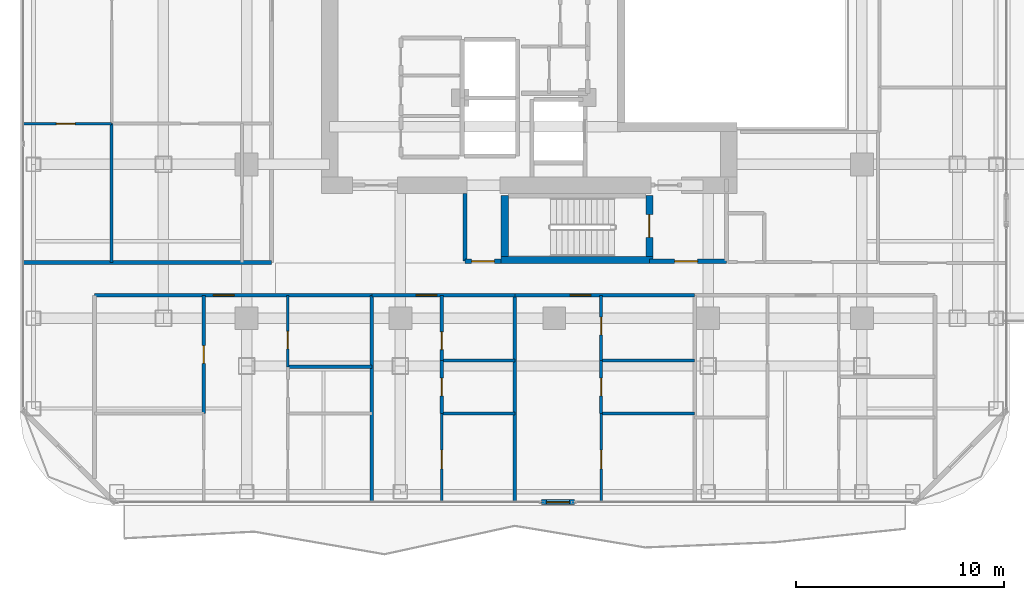
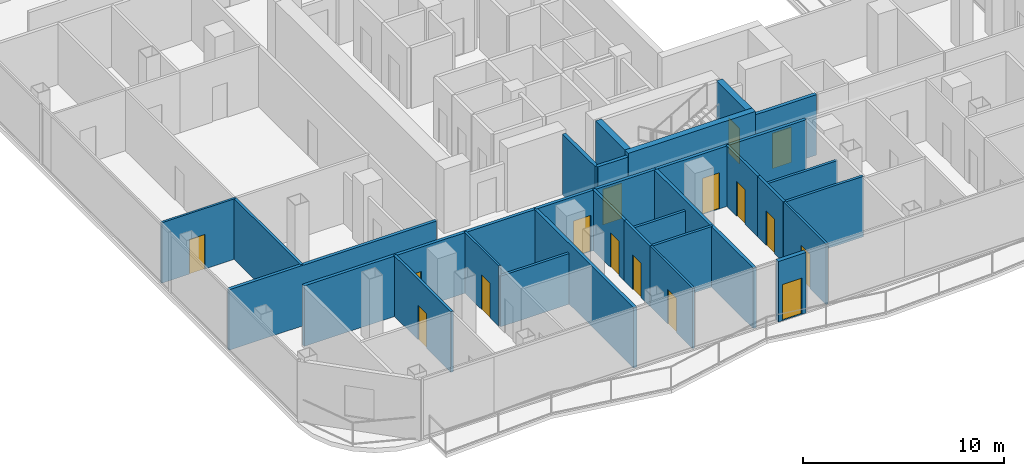
# One storey, part 19 of 27: 28 walls, 16 doors, 16 openings.
"""IFC4 building model written with IfcOpenShell, lengths in metres."""

from ifc_helpers import new_model, si_unit, direction, frame, frame_2d, origin, place, context, subcontext, project, spatial, rectangle, extrude, material, layer, layer_set, type_object, element, fill, save


model = new_model("IFC4")

# Units and contexts
model_context = context("Model", 3, precision=1e-05, world=origin(), true_north=direction((0.0, 1.0)))
body_context = subcontext(model_context, "Body", "Model", "MODEL_VIEW")
ifc_project = project(units=[si_unit("LENGTHUNIT", "METRE"), si_unit("AREAUNIT", "SQUARE_METRE"), si_unit("VOLUMEUNIT", "CUBIC_METRE"), si_unit("PLANEANGLEUNIT", "RADIAN"), si_unit("MASSUNIT", "GRAM", prefix="KILO")], contexts=[model_context])

# Site, building, storey
site_placement = place(None, origin())
site = spatial("IfcSite", under=ifc_project, at=site_placement, CompositionType="ELEMENT")
building_placement = place(site_placement, origin())
building = spatial("IfcBuilding", under=site, at=building_placement, Name="Khorvyn Point Tower", CompositionType="ELEMENT")
storey_placement = place(building_placement, frame((0.0, 0.0, 168.0)))
storey = spatial("IfcBuildingStorey", under=building, at=storey_placement, Name="L41", CompositionType="ELEMENT", Elevation=168.0)

# Wall, opening, door
ifc_material_1 = material(Name="Double acoustic gypsum on twin steel stud", Category="steel")
ifc_layer_1 = layer(ifc_material_1, 0.179931640625)
ifc_layer_set_1 = layer_set([ifc_layer_1], Name="Acoustic Double-Stud Apartment Demising Wall 180")
wall_type_1 = type_object("IfcWallType", Name="Acoustic Double-Stud Apartment Demising Wall 180", PredefinedType="PARTITIONING", material=ifc_layer_set_1)
wall_1_placement = place(storey_placement, frame((-22.1201171875, -13.699951171875, 0.0), z_axis=(0.0, 0.0, 1.0), x_axis=(1.0, 0.0, 0.0)))
wall_1 = element("IfcWall", 1, at=wall_1_placement, inside=storey, type_object=wall_type_1, Name="Wall", PredefinedType="PARTITIONING", context=body_context, shape_type="SweptSolid", body=[
    extrude(rectangle(XDim=13.34521484375, YDim=0.179931640625, at=frame_2d((6.672607421875, 0.0))), origin(), (0.0, 0.0, 1.0), 3.679931640625),
])
opening_1_placement = place(wall_1_placement, frame((5.723876953125, 0.0, 0.0)))
opening_1 = element("IfcOpeningElement", 2, at=opening_1_placement, cuts=wall_1, Name="Opening ID-AP60", PredefinedType="OPENING", context=body_context, shape_type="SweptSolid", body=[
    extrude(rectangle(XDim=1.0, YDim=2.199951171875, at=frame_2d((0.5, 1.10009765625))), frame((0.0, 0.099853515625, 0.0), z_axis=(0.0, -1.0, 0.0), x_axis=(1.0, 0.0, 0.0)), (0.0, 0.0, 1.0), 0.199951171875),
])
ifc_material_2 = material(Name="Engineered hardwood fire-rated leaf", Category="wood")
door_type_1 = type_object("IfcDoorType", Name="Acoustic Solid-Core Timber Apartment Entrance Door 1000x2200", OperationType="NOTDEFINED", PredefinedType="DOOR", material=ifc_material_2)
door_1_placement = place(opening_1_placement, origin())
door_1 = element("IfcDoor", 3, at=door_1_placement, inside=storey, type_object=door_type_1, Name="Door", OperationType="SINGLE_SWING_RIGHT", OverallHeight=2.199951171875, OverallWidth=1.0, PredefinedType="DOOR", context=body_context, shape_type="SweptSolid", body=[
    extrude(rectangle(XDim=1.0, YDim=2.199951171875, at=frame_2d((0.5, 1.10009765625))), frame((0.0, 0.02490234375, 0.0), z_axis=(0.0, -1.0, 0.0), x_axis=(1.0, 0.0, 0.0)), (0.0, 0.0, 1.0), 0.050048828125),
])
fill(opening_1, door_1)

wall_2_placement = place(storey_placement, frame((-8.77490234375, -13.699951171875, 0.0), z_axis=(0.0, 0.0, 1.0), x_axis=(1.0, 0.0, 0.0)))
wall_2 = element("IfcWall", 4, at=wall_2_placement, inside=storey, type_object=wall_type_1, Name="Wall", PredefinedType="PARTITIONING", context=body_context, shape_type="SweptSolid", body=[
    extrude(rectangle(XDim=6.875, YDim=0.179931640625, at=frame_2d((3.4375, 0.0))), origin(), (0.0, 0.0, 1.0), 3.679931640625),
])
opening_2_placement = place(wall_2_placement, frame((2.131103515625, 0.0, 0.0)))
opening_2 = element("IfcOpeningElement", 5, at=opening_2_placement, cuts=wall_2, Name="Opening ID-AP60", PredefinedType="OPENING", context=body_context, shape_type="SweptSolid", body=[
    extrude(rectangle(XDim=1.0, YDim=2.199951171875, at=frame_2d((0.5, 1.10009765625))), frame((0.0, 0.099853515625, 0.0), z_axis=(0.0, -1.0, 0.0), x_axis=(1.0, 0.0, 0.0)), (0.0, 0.0, 1.0), 0.199951171875),
])
door_2_placement = place(opening_2_placement, origin())
door_2 = element("IfcDoor", 6, at=door_2_placement, inside=storey, type_object=door_type_1, Name="Door", OperationType="SINGLE_SWING_RIGHT", OverallHeight=2.199951171875, OverallWidth=1.0, PredefinedType="DOOR", context=body_context, shape_type="SweptSolid", body=[
    extrude(rectangle(XDim=1.0, YDim=2.199951171875, at=frame_2d((0.5, 1.10009765625))), frame((0.0, 0.02490234375, 0.0), z_axis=(0.0, -1.0, 0.0), x_axis=(1.0, 0.0, 0.0)), (0.0, 0.0, 1.0), 0.050048828125),
])
fill(opening_2, door_2)

wall_3_placement = place(storey_placement, frame((-1.89990234375, -13.699951171875, 0.0), z_axis=(0.0, 0.0, 1.0), x_axis=(1.0, 0.0, 0.0)))
wall_3 = element("IfcWall", 7, at=wall_3_placement, inside=storey, type_object=wall_type_1, Name="Wall", PredefinedType="PARTITIONING", context=body_context, shape_type="SweptSolid", body=[
    extrude(rectangle(XDim=8.65380859375, YDim=0.179931640625, at=frame_2d((4.326904296875, 0.0))), origin(), (0.0, 0.0, 1.0), 3.679931640625),
])
opening_3_placement = place(wall_3_placement, frame((2.664306640625, 0.0, 0.0)))
opening_3 = element("IfcOpeningElement", 8, at=opening_3_placement, cuts=wall_3, Name="Opening ID-AP60", PredefinedType="OPENING", context=body_context, shape_type="SweptSolid", body=[
    extrude(rectangle(XDim=1.0, YDim=2.199951171875, at=frame_2d((0.5, 1.10009765625))), frame((0.0, 0.099853515625, 0.0), z_axis=(0.0, -1.0, 0.0), x_axis=(1.0, 0.0, 0.0)), (0.0, 0.0, 1.0), 0.199951171875),
])
door_3_placement = place(opening_3_placement, origin())
door_3 = element("IfcDoor", 9, at=door_3_placement, inside=storey, type_object=door_type_1, Name="Door", OperationType="SINGLE_SWING_RIGHT", OverallHeight=2.199951171875, OverallWidth=1.0, PredefinedType="DOOR", context=body_context, shape_type="SweptSolid", body=[
    extrude(rectangle(XDim=1.0, YDim=2.199951171875, at=frame_2d((0.5, 1.10009765625))), frame((0.0, 0.02490234375, 0.0), z_axis=(0.0, -1.0, 0.0), x_axis=(1.0, 0.0, 0.0)), (0.0, 0.0, 1.0), 0.050048828125),
])
fill(opening_3, door_3)

# Walls
for number, where, z_axis, x_axis, name in (
    (10, (-8.77490234375, -23.6298828125, 0.0), (0.0, 0.0, 1.0), (0.0, 1.0, 0.0), "Wall"),
    (11, (-1.89990234375, -23.6298828125, 0.0), (0.0, 0.0, 1.0), (0.0, 1.0, 0.0), "Wall"),
):
    element("IfcWall", number, at=place(storey_placement, frame(where, z_axis=z_axis, x_axis=x_axis)), inside=storey, type_object=wall_type_1, Name=name, PredefinedType="PARTITIONING", context=body_context, shape_type="SweptSolid", body=[
        extrude(rectangle(XDim=9.929931640625, YDim=0.179931640625, at=frame_2d((4.96484375, 0.0))), origin(), (0.0, 0.0, 1.0), 3.679931640625),
    ])
wall_4_placement = place(storey_placement, frame((-25.530029296875, -12.1201171875, 0.0), z_axis=(0.0, 0.0, 1.0), x_axis=(1.0, 0.0, 0.0)))
element("IfcWall", 12, at=wall_4_placement, inside=storey, type_object=wall_type_1, Name="Wall", PredefinedType="PARTITIONING", context=body_context, shape_type="SweptSolid", body=[
    extrude(rectangle(XDim=11.929931640625, YDim=0.179931640625, at=frame_2d((5.96484375, 0.0))), origin(), (0.0, 0.0, 1.0), 3.679931640625),
])

# Wall, opening, door
ifc_material_3 = material(Name="Pale anodised aluminium rainscreen on steel stud", Category="steel")
ifc_layer_2 = layer(ifc_material_3, 0.239990234375)
ifc_layer_set_2 = layer_set([ifc_layer_2], Name="Anodised Aluminium Insulated Corner Spandrel Wall 240")
wall_type_2 = type_object("IfcWallType", Name="Anodised Aluminium Insulated Corner Spandrel Wall 240", PredefinedType="SOLIDWALL", material=ifc_layer_set_2)
wall_5_placement = place(storey_placement, frame((0.967041015625, -23.64990234375, 0.0), z_axis=(0.0, 0.0, 1.0), x_axis=(-1.0, 0.0, 0.0)))
wall_5 = element("IfcWall", 13, at=wall_5_placement, inside=storey, type_object=wall_type_2, Name="L41 South Outdoor Threshold Wall", PredefinedType="SOLIDWALL", context=body_context, shape_type="SweptSolid", body=[
    extrude(rectangle(XDim=1.580078125, YDim=0.239990234375, at=frame_2d((0.7900390625, 0.0))), origin(), (0.0, 0.0, 1.0), 3.679931640625),
])
opening_4_placement = place(wall_5_placement, frame((0.239990234375, 0.0, 0.0)))
opening_4 = element("IfcOpeningElement", 14, at=opening_4_placement, cuts=wall_5, Name="Opening BD-1122", PredefinedType="OPENING", context=body_context, shape_type="SweptSolid", body=[
    extrude(rectangle(XDim=1.10009765625, YDim=2.199951171875, at=frame_2d((0.550048828125, 1.10009765625))), frame((0.0, 0.1298828125, 0.0), z_axis=(0.0, -1.0, 0.0), x_axis=(1.0, 0.0, 0.0)), (0.0, 0.0, 1.0), 0.260009765625),
])
ifc_material_4 = material(Name="Anodised aluminium 6063-T6 and laminated Low-E glass", Category="aluminium")
door_type_2 = type_object("IfcDoorType", Name="Glazed Balcony and Terrace Threshold Door 1100x2200", OperationType="NOTDEFINED", PredefinedType="DOOR", material=ifc_material_4)
door_4_placement = place(opening_4_placement, origin())
door_4 = element("IfcDoor", 15, at=door_4_placement, inside=storey, type_object=door_type_2, Name="L41 South Glazed Balcony Outdoor Door", OperationType="SINGLE_SWING_RIGHT", OverallHeight=2.199951171875, OverallWidth=1.10009765625, PredefinedType="DOOR", context=body_context, shape_type="SweptSolid", body=[
    extrude(rectangle(XDim=1.10009765625, YDim=2.199951171875, at=frame_2d((0.550048828125, 1.10009765625))), frame((0.0, 0.02490234375, 0.0), z_axis=(0.0, -1.0, 0.0), x_axis=(1.0, 0.0, 0.0)), (0.0, 0.0, 1.0), 0.050048828125),
])
fill(opening_4, door_4)

ifc_material_5 = material(Name="Concrete C40/50", Category="concrete")
ifc_layer_3 = layer(ifc_material_5, 0.199951171875)
ifc_layer_set_3 = layer_set([ifc_layer_3], Name="Concrete C40/50 Fire-Lobby Compartment Wall 200")
wall_type_3 = type_object("IfcWallType", Name="Concrete C40/50 Fire-Lobby Compartment Wall 200", PredefinedType="SOLIDWALL", material=ifc_layer_set_3)
wall_6_placement = place(storey_placement, frame((4.580078125, -12.06005859375, 0.0), z_axis=(0.0, 0.0, 1.0), x_axis=(1.0, 0.0, 0.0)))
wall_6 = element("IfcWall", 16, at=wall_6_placement, inside=storey, type_object=wall_type_3, Name="Wall", PredefinedType="SOLIDWALL", context=body_context, shape_type="SweptSolid", body=[
    extrude(rectangle(XDim=3.699951171875, YDim=0.199951171875, at=frame_2d((1.85009765625, 0.0))), origin(), (0.0, 0.0, 1.0), 3.679931640625),
])
opening_5_placement = place(wall_6_placement, frame((1.21240234375, 0.0, 0.0)))
opening_5 = element("IfcOpeningElement", 17, at=opening_5_placement, cuts=wall_6, Name="Opening ID-FL90", PredefinedType="OPENING", context=body_context, shape_type="SweptSolid", body=[
    extrude(rectangle(XDim=1.10009765625, YDim=2.14990234375, at=frame_2d((0.550048828125, 1.074951171875))), frame((0.0, 0.10986328125, 0.0), z_axis=(0.0, -1.0, 0.0), x_axis=(1.0, 0.0, 0.0)), (0.0, 0.0, 1.0), 0.219970703125),
])
ifc_material_6 = material(Name="Galvanised powder-coated steel", Category="steel")
door_type_3 = type_object("IfcDoorType", Name="Fire-Rated Steel Lobby and Stair Door 1100x2150", OperationType="NOTDEFINED", PredefinedType="DOOR", material=ifc_material_6)
door_5_placement = place(opening_5_placement, origin())
door_5 = element("IfcDoor", 18, at=door_5_placement, inside=storey, type_object=door_type_3, Name="Door", OperationType="SINGLE_SWING_LEFT", OverallHeight=2.14990234375, OverallWidth=1.10009765625, PredefinedType="DOOR", context=body_context, shape_type="SweptSolid", body=[
    extrude(rectangle(XDim=1.10009765625, YDim=2.14990234375, at=frame_2d((0.550048828125, 1.074951171875))), frame((0.0, 0.02490234375, 0.0), z_axis=(0.0, -1.0, 0.0), x_axis=(1.0, 0.0, 0.0)), (0.0, 0.0, 1.0), 0.050048828125),
])
fill(opening_5, door_5)

wall_7_placement = place(storey_placement, frame((-4.300048828125, -12.06005859375, 0.0), z_axis=(0.0, 0.0, 1.0), x_axis=(1.0, 0.0, 0.0)))
wall_7 = element("IfcWall", 19, at=wall_7_placement, inside=storey, type_object=wall_type_3, Name="Wall", PredefinedType="SOLIDWALL", context=body_context, shape_type="SweptSolid", body=[
    extrude(rectangle(XDim=1.75, YDim=0.199951171875, at=frame_2d((0.875, 0.0))), origin(), (0.0, 0.0, 1.0), 3.679931640625),
])
opening_6_placement = place(wall_7_placement, frame((0.324951171875, 0.0, 0.0)))
opening_6 = element("IfcOpeningElement", 20, at=opening_6_placement, cuts=wall_7, Name="Opening ID-FL90", PredefinedType="OPENING", context=body_context, shape_type="SweptSolid", body=[
    extrude(rectangle(XDim=1.10009765625, YDim=2.14990234375, at=frame_2d((0.550048828125, 1.074951171875))), frame((0.0, 0.10986328125, 0.0), z_axis=(0.0, -1.0, 0.0), x_axis=(1.0, 0.0, 0.0)), (0.0, 0.0, 1.0), 0.219970703125),
])
door_6_placement = place(opening_6_placement, origin())
door_6 = element("IfcDoor", 21, at=door_6_placement, inside=storey, type_object=door_type_3, Name="Door", OperationType="SINGLE_SWING_RIGHT", OverallHeight=2.14990234375, OverallWidth=1.10009765625, PredefinedType="DOOR", context=body_context, shape_type="SweptSolid", body=[
    extrude(rectangle(XDim=1.10009765625, YDim=2.14990234375, at=frame_2d((0.550048828125, 1.074951171875))), frame((0.0, 0.02490234375, 0.0), z_axis=(0.0, -1.0, 0.0), x_axis=(1.0, 0.0, 0.0)), (0.0, 0.0, 1.0), 0.050048828125),
])
fill(opening_6, door_6)

# Walls
wall_8_placement = place(storey_placement, frame((-4.300048828125, -12.06005859375, 0.0), z_axis=(0.0, 0.0, 1.0), x_axis=(0.0, 1.0, 0.0)))
element("IfcWall", 22, at=wall_8_placement, inside=storey, type_object=wall_type_3, Name="Wall", PredefinedType="SOLIDWALL", context=body_context, shape_type="SweptSolid", body=[
    extrude(rectangle(XDim=3.260009765625, YDim=0.199951171875, at=frame_2d((1.6298828125, 0.0))), origin(), (0.0, 0.0, 1.0), 3.679931640625),
])
ifc_layer_4 = layer(ifc_material_5, 0.35009765625)
ifc_layer_set_4 = layer_set([ifc_layer_4], Name="Concrete C40/50 Stair Shaft Structural Wall 350")
wall_type_4 = type_object("IfcWallType", Name="Concrete C40/50 Stair Shaft Structural Wall 350", PredefinedType="SHEAR", material=ifc_layer_set_4)
wall_9_placement = place(storey_placement, frame((-2.554931640625, -12.0, 0.0), z_axis=(0.0, 0.0, 1.0), x_axis=(1.0, 0.0, 0.0)))
element("IfcWall", 23, at=wall_9_placement, inside=storey, type_object=wall_type_4, Name="L41 ST-01 South Shaft Wall", PredefinedType="SHEAR", context=body_context, shape_type="SweptSolid", body=[
    extrude(rectangle(XDim=7.309814453125, YDim=0.35009765625, at=frame_2d((3.65478515625, 0.0))), origin(), (0.0, 0.0, 1.0), 3.89990234375),
])
wall_10_placement = place(storey_placement, frame((-2.3798828125, -11.824951171875, 0.0), z_axis=(0.0, 0.0, 1.0), x_axis=(0.0, 1.0, 0.0)))
element("IfcWall", 24, at=wall_10_placement, inside=storey, type_object=wall_type_4, Name="L41 ST-01 West Shaft Wall", PredefinedType="SHEAR", context=body_context, shape_type="SweptSolid", body=[
    extrude(rectangle(XDim=2.925048828125, YDim=0.35009765625, at=frame_2d((1.46240234375, 0.0))), origin(), (0.0, 0.0, 1.0), 3.89990234375),
])

# Wall, opening, door
wall_11_placement = place(storey_placement, frame((4.580078125, -8.89990234375, 0.0), z_axis=(0.0, 0.0, 1.0), x_axis=(0.0, -1.0, 0.0)))
wall_11 = element("IfcWall", 25, at=wall_11_placement, inside=storey, type_object=wall_type_4, Name="L41 ST-01 East Landing Door Wall", PredefinedType="SHEAR", context=body_context, shape_type="SweptSolid", body=[
    extrude(rectangle(XDim=2.925048828125, YDim=0.35009765625, at=frame_2d((1.46240234375, 0.0))), origin(), (0.0, 0.0, 1.0), 3.89990234375),
])
opening_7_placement = place(wall_11_placement, frame((0.91259765625, 0.0, 0.0)))
opening_7 = element("IfcOpeningElement", 26, at=opening_7_placement, cuts=wall_11, Name="Opening ID-FL90", PredefinedType="OPENING", context=body_context, shape_type="SweptSolid", body=[
    extrude(rectangle(XDim=1.10009765625, YDim=2.14990234375, at=frame_2d((0.550048828125, 1.074951171875))), frame((0.0, 0.18505859375, 0.0), z_axis=(0.0, -1.0, 0.0), x_axis=(1.0, 0.0, 0.0)), (0.0, 0.0, 1.0), 0.3701171875),
])
door_7_placement = place(opening_7_placement, origin())
door_7 = element("IfcDoor", 27, at=door_7_placement, inside=storey, type_object=door_type_3, Name="L41 ST-01 Smokeproof Landing Door", OperationType="SINGLE_SWING_LEFT", OverallHeight=2.14990234375, OverallWidth=1.10009765625, PredefinedType="DOOR", context=body_context, shape_type="SweptSolid", body=[
    extrude(rectangle(XDim=1.10009765625, YDim=2.14990234375, at=frame_2d((0.550048828125, 1.074951171875))), frame((0.0, 0.02490234375, 0.0), z_axis=(0.0, -1.0, 0.0), x_axis=(1.0, 0.0, 0.0)), (0.0, 0.0, 1.0), 0.050048828125),
])
fill(opening_7, door_7)

ifc_material_7 = material(Name="Gypsum plasterboard on steel stud", Category="steel")
ifc_layer_5 = layer(ifc_material_7, 0.1201171875)
ifc_layer_set_5 = layer_set([ifc_layer_5], Name="Gypsum Acoustic Stud Room Partition Wall 120")
wall_type_5 = type_object("IfcWallType", Name="Gypsum Acoustic Stud Room Partition Wall 120", PredefinedType="PARTITIONING", material=ifc_layer_set_5)
wall_12_placement = place(storey_placement, frame((-12.81591796875, -17.136962890625, 0.0), z_axis=(0.0, 0.0, 1.0), x_axis=(0.0, 1.0, 0.0)))
wall_12 = element("IfcWall", 28, at=wall_12_placement, inside=storey, type_object=wall_type_5, Name="Wall", PredefinedType="PARTITIONING", context=body_context, shape_type="SweptSolid", body=[
    extrude(rectangle(XDim=3.43701171875, YDim=0.1201171875, at=frame_2d((1.718505859375, 0.0))), origin(), (0.0, 0.0, 1.0), 3.679931640625),
])
opening_8_placement = place(wall_12_placement, frame((0.857421875, 0.0, 0.0)))
opening_8 = element("IfcOpeningElement", 29, at=opening_8_placement, cuts=wall_12, Name="Opening ID-WC85", PredefinedType="OPENING", context=body_context, shape_type="SweptSolid", body=[
    extrude(rectangle(XDim=0.85009765625, YDim=2.10009765625, at=frame_2d((0.425048828125, 1.050048828125))), frame((0.0, 0.070068359375, 0.0), z_axis=(0.0, -1.0, 0.0), x_axis=(1.0, 0.0, 0.0)), (0.0, 0.0, 1.0), 0.14013671875),
])
ifc_material_8 = material(Name="High-pressure laminate on moisture-resistant core", Category="wood")
door_type_4 = type_object("IfcDoorType", Name="Moisture-Resistant Accessible Washroom Door 850x2100", OperationType="NOTDEFINED", PredefinedType="DOOR", material=ifc_material_8)
door_8_placement = place(opening_8_placement, origin())
door_8 = element("IfcDoor", 30, at=door_8_placement, inside=storey, type_object=door_type_4, Name="Door", OperationType="SINGLE_SWING_RIGHT", OverallHeight=2.10009765625, OverallWidth=0.85009765625, PredefinedType="DOOR", context=body_context, shape_type="SweptSolid", body=[
    extrude(rectangle(XDim=0.85009765625, YDim=2.10009765625, at=frame_2d((0.425048828125, 1.050048828125))), frame((0.0, 0.02490234375, 0.0), z_axis=(0.0, -1.0, 0.0), x_axis=(1.0, 0.0, 0.0)), (0.0, 0.0, 1.0), 0.050048828125),
])
fill(opening_8, door_8)

wall_13_placement = place(storey_placement, frame((-5.4140625, -23.6298828125, 0.0), z_axis=(0.0, 0.0, 1.0), x_axis=(0.0, 1.0, 0.0)))
wall_13 = element("IfcWall", 31, at=wall_13_placement, inside=storey, type_object=wall_type_5, Name="Wall", PredefinedType="PARTITIONING", context=body_context, shape_type="SweptSolid", body=[
    extrude(rectangle(XDim=4.239990234375, YDim=0.1201171875, at=frame_2d((2.1201171875, 0.0))), origin(), (0.0, 0.0, 1.0), 3.679931640625),
])
opening_9_placement = place(wall_13_placement, frame((1.581298828125, 0.0, 0.0)))
opening_9 = element("IfcOpeningElement", 32, at=opening_9_placement, cuts=wall_13, Name="Opening ID-RM90", PredefinedType="OPENING", context=body_context, shape_type="SweptSolid", body=[
    extrude(rectangle(XDim=0.89990234375, YDim=2.10009765625, at=frame_2d((0.449951171875, 1.050048828125))), frame((0.0, 0.070068359375, 0.0), z_axis=(0.0, -1.0, 0.0), x_axis=(1.0, 0.0, 0.0)), (0.0, 0.0, 1.0), 0.14013671875),
])
ifc_material_9 = material(Name="Engineered oak veneer timber", Category="wood")
door_type_5 = type_object("IfcDoorType", Name="Flush Engineered Timber Room Door 900x2100", OperationType="NOTDEFINED", PredefinedType="DOOR", material=ifc_material_9)
door_9_placement = place(opening_9_placement, origin())
door_9 = element("IfcDoor", 33, at=door_9_placement, inside=storey, type_object=door_type_5, Name="Door", OperationType="SINGLE_SWING_LEFT", OverallHeight=2.10009765625, OverallWidth=0.89990234375, PredefinedType="DOOR", context=body_context, shape_type="SweptSolid", body=[
    extrude(rectangle(XDim=0.89990234375, YDim=2.10009765625, at=frame_2d((0.449951171875, 1.050048828125))), frame((0.0, 0.02490234375, 0.0), z_axis=(0.0, -1.0, 0.0), x_axis=(1.0, 0.0, 0.0)), (0.0, 0.0, 1.0), 0.050048828125),
])
fill(opening_9, door_9)

wall_14_placement = place(storey_placement, frame((2.25390625, -23.6298828125, 0.0), z_axis=(0.0, 0.0, 1.0), x_axis=(0.0, 1.0, 0.0)))
wall_14 = element("IfcWall", 34, at=wall_14_placement, inside=storey, type_object=wall_type_5, Name="Wall", PredefinedType="PARTITIONING", context=body_context, shape_type="SweptSolid", body=[
    extrude(rectangle(XDim=4.239990234375, YDim=0.1201171875, at=frame_2d((2.1201171875, 0.0))), origin(), (0.0, 0.0, 1.0), 3.679931640625),
])
opening_10_placement = place(wall_14_placement, frame((1.581298828125, 0.0, 0.0)))
opening_10 = element("IfcOpeningElement", 35, at=opening_10_placement, cuts=wall_14, Name="Opening ID-RM90", PredefinedType="OPENING", context=body_context, shape_type="SweptSolid", body=[
    extrude(rectangle(XDim=0.89990234375, YDim=2.10009765625, at=frame_2d((0.449951171875, 1.050048828125))), frame((0.0, 0.070068359375, 0.0), z_axis=(0.0, -1.0, 0.0), x_axis=(1.0, 0.0, 0.0)), (0.0, 0.0, 1.0), 0.14013671875),
])
door_10_placement = place(opening_10_placement, origin())
door_10 = element("IfcDoor", 36, at=door_10_placement, inside=storey, type_object=door_type_5, Name="Door", OperationType="SINGLE_SWING_LEFT", OverallHeight=2.10009765625, OverallWidth=0.89990234375, PredefinedType="DOOR", context=body_context, shape_type="SweptSolid", body=[
    extrude(rectangle(XDim=0.89990234375, YDim=2.10009765625, at=frame_2d((0.449951171875, 1.050048828125))), frame((0.0, 0.02490234375, 0.0), z_axis=(0.0, -1.0, 0.0), x_axis=(1.0, 0.0, 0.0)), (0.0, 0.0, 1.0), 0.050048828125),
])
fill(opening_10, door_10)

wall_15_placement = place(storey_placement, frame((-25.530029296875, -5.43603515625, 0.0), z_axis=(0.0, 0.0, 1.0), x_axis=(1.0, 0.0, 0.0)))
wall_15 = element("IfcWall", 37, at=wall_15_placement, inside=storey, type_object=wall_type_5, Name="Wall", PredefinedType="PARTITIONING", context=body_context, shape_type="SweptSolid", body=[
    extrude(rectangle(XDim=4.239990234375, YDim=0.1201171875, at=frame_2d((2.1201171875, 0.0))), origin(), (0.0, 0.0, 1.0), 3.679931640625),
])
opening_11_placement = place(wall_15_placement, frame((1.581298828125, 0.0, 0.0)))
opening_11 = element("IfcOpeningElement", 38, at=opening_11_placement, cuts=wall_15, Name="Opening ID-RM90", PredefinedType="OPENING", context=body_context, shape_type="SweptSolid", body=[
    extrude(rectangle(XDim=0.89990234375, YDim=2.10009765625, at=frame_2d((0.449951171875, 1.050048828125))), frame((0.0, 0.070068359375, 0.0), z_axis=(0.0, -1.0, 0.0), x_axis=(1.0, 0.0, 0.0)), (0.0, 0.0, 1.0), 0.14013671875),
])
door_11_placement = place(opening_11_placement, origin())
door_11 = element("IfcDoor", 39, at=door_11_placement, inside=storey, type_object=door_type_5, Name="Door", OperationType="SINGLE_SWING_RIGHT", OverallHeight=2.10009765625, OverallWidth=0.89990234375, PredefinedType="DOOR", context=body_context, shape_type="SweptSolid", body=[
    extrude(rectangle(XDim=0.89990234375, YDim=2.10009765625, at=frame_2d((0.449951171875, 1.050048828125))), frame((0.0, 0.02490234375, 0.0), z_axis=(0.0, -1.0, 0.0), x_axis=(1.0, 0.0, 0.0)), (0.0, 0.0, 1.0), 0.050048828125),
])
fill(opening_11, door_11)

ifc_material_10 = material(Name="Moisture-resistant gypsum and cement board", Category="gypsum")
ifc_layer_6 = layer(ifc_material_10, 0.14990234375)
ifc_layer_set_6 = layer_set([ifc_layer_6], Name="Moisture-Resistant Wet-Room Partition Wall 150")
wall_type_6 = type_object("IfcWallType", Name="Moisture-Resistant Wet-Room Partition Wall 150", PredefinedType="PARTITIONING", material=ifc_layer_set_6)
wall_16_placement = place(storey_placement, frame((-16.860107421875, -19.389892578125, 0.0), z_axis=(0.0, 0.0, 1.0), x_axis=(0.0, 1.0, 0.0)))
wall_16 = element("IfcWall", 40, at=wall_16_placement, inside=storey, type_object=wall_type_6, Name="Wall", PredefinedType="PARTITIONING", context=body_context, shape_type="SweptSolid", body=[
    extrude(rectangle(XDim=5.68994140625, YDim=0.14990234375, at=frame_2d((2.844970703125, 0.0))), origin(), (0.0, 0.0, 1.0), 3.679931640625),
])
opening_12_placement = place(wall_16_placement, frame((2.419921875, 0.0, 0.0)))
opening_12 = element("IfcOpeningElement", 41, at=opening_12_placement, cuts=wall_16, Name="Opening ID-WC85", PredefinedType="OPENING", context=body_context, shape_type="SweptSolid", body=[
    extrude(rectangle(XDim=0.85009765625, YDim=2.10009765625, at=frame_2d((0.425048828125, 1.050048828125))), frame((0.0, 0.0849609375, 0.0), z_axis=(0.0, -1.0, 0.0), x_axis=(1.0, 0.0, 0.0)), (0.0, 0.0, 1.0), 0.169921875),
])
door_12_placement = place(opening_12_placement, origin())
door_12 = element("IfcDoor", 42, at=door_12_placement, inside=storey, type_object=door_type_4, Name="Door", OperationType="SINGLE_SWING_LEFT", OverallHeight=2.10009765625, OverallWidth=0.85009765625, PredefinedType="DOOR", context=body_context, shape_type="SweptSolid", body=[
    extrude(rectangle(XDim=0.85009765625, YDim=2.10009765625, at=frame_2d((0.425048828125, 1.050048828125))), frame((0.0, 0.02490234375, 0.0), z_axis=(0.0, -1.0, 0.0), x_axis=(1.0, 0.0, 0.0)), (0.0, 0.0, 1.0), 0.050048828125),
])
fill(opening_12, door_12)

wall_17_placement = place(storey_placement, frame((-5.4140625, -16.8291015625, 0.0), z_axis=(0.0, 0.0, 1.0), x_axis=(0.0, 1.0, 0.0)))
wall_17 = element("IfcWall", 43, at=wall_17_placement, inside=storey, type_object=wall_type_6, Name="Wall", PredefinedType="PARTITIONING", context=body_context, shape_type="SweptSolid", body=[
    extrude(rectangle(XDim=3.129150390625, YDim=0.14990234375, at=frame_2d((1.564453125, 0.0))), origin(), (0.0, 0.0, 1.0), 3.679931640625),
])
opening_13_placement = place(wall_17_placement, frame((0.51611328125, 0.0, 0.0)))
opening_13 = element("IfcOpeningElement", 44, at=opening_13_placement, cuts=wall_17, Name="Opening ID-WC85", PredefinedType="OPENING", context=body_context, shape_type="SweptSolid", body=[
    extrude(rectangle(XDim=0.85009765625, YDim=2.10009765625, at=frame_2d((0.425048828125, 1.050048828125))), frame((0.0, 0.0849609375, 0.0), z_axis=(0.0, -1.0, 0.0), x_axis=(1.0, 0.0, 0.0)), (0.0, 0.0, 1.0), 0.169921875),
])
door_13_placement = place(opening_13_placement, origin())
door_13 = element("IfcDoor", 45, at=door_13_placement, inside=storey, type_object=door_type_4, Name="Door", OperationType="SINGLE_SWING_LEFT", OverallHeight=2.10009765625, OverallWidth=0.85009765625, PredefinedType="DOOR", context=body_context, shape_type="SweptSolid", body=[
    extrude(rectangle(XDim=0.85009765625, YDim=2.10009765625, at=frame_2d((0.425048828125, 1.050048828125))), frame((0.0, 0.02490234375, 0.0), z_axis=(0.0, -1.0, 0.0), x_axis=(1.0, 0.0, 0.0)), (0.0, 0.0, 1.0), 0.050048828125),
])
fill(opening_13, door_13)

wall_18_placement = place(storey_placement, frame((-5.4140625, -19.389892578125, 0.0), z_axis=(0.0, 0.0, 1.0), x_axis=(0.0, 1.0, 0.0)))
wall_18 = element("IfcWall", 46, at=wall_18_placement, inside=storey, type_object=wall_type_6, Name="Wall", PredefinedType="PARTITIONING", context=body_context, shape_type="SweptSolid", body=[
    extrude(rectangle(XDim=2.560791015625, YDim=0.14990234375, at=frame_2d((1.2802734375, 0.0))), origin(), (0.0, 0.0, 1.0), 3.679931640625),
])
opening_14_placement = place(wall_18_placement, frame((0.85546875, 0.0, 0.0)))
opening_14 = element("IfcOpeningElement", 47, at=opening_14_placement, cuts=wall_18, Name="Opening ID-WC85", PredefinedType="OPENING", context=body_context, shape_type="SweptSolid", body=[
    extrude(rectangle(XDim=0.85009765625, YDim=2.10009765625, at=frame_2d((0.425048828125, 1.050048828125))), frame((0.0, 0.0849609375, 0.0), z_axis=(0.0, -1.0, 0.0), x_axis=(1.0, 0.0, 0.0)), (0.0, 0.0, 1.0), 0.169921875),
])
door_14_placement = place(opening_14_placement, origin())
door_14 = element("IfcDoor", 48, at=door_14_placement, inside=storey, type_object=door_type_4, Name="Door", OperationType="SINGLE_SWING_RIGHT", OverallHeight=2.10009765625, OverallWidth=0.85009765625, PredefinedType="DOOR", context=body_context, shape_type="SweptSolid", body=[
    extrude(rectangle(XDim=0.85009765625, YDim=2.10009765625, at=frame_2d((0.425048828125, 1.050048828125))), frame((0.0, 0.02490234375, 0.0), z_axis=(0.0, -1.0, 0.0), x_axis=(1.0, 0.0, 0.0)), (0.0, 0.0, 1.0), 0.050048828125),
])
fill(opening_14, door_14)

wall_19_placement = place(storey_placement, frame((2.25390625, -16.8291015625, 0.0), z_axis=(0.0, 0.0, 1.0), x_axis=(0.0, 1.0, 0.0)))
wall_19 = element("IfcWall", 49, at=wall_19_placement, inside=storey, type_object=wall_type_6, Name="Wall", PredefinedType="PARTITIONING", context=body_context, shape_type="SweptSolid", body=[
    extrude(rectangle(XDim=3.129150390625, YDim=0.14990234375, at=frame_2d((1.564453125, 0.0))), origin(), (0.0, 0.0, 1.0), 3.679931640625),
])
opening_15_placement = place(wall_19_placement, frame((1.228515625, 0.0, 0.0)))
opening_15 = element("IfcOpeningElement", 50, at=opening_15_placement, cuts=wall_19, Name="Opening ID-WC85", PredefinedType="OPENING", context=body_context, shape_type="SweptSolid", body=[
    extrude(rectangle(XDim=0.85009765625, YDim=2.10009765625, at=frame_2d((0.425048828125, 1.050048828125))), frame((0.0, 0.0849609375, 0.0), z_axis=(0.0, -1.0, 0.0), x_axis=(1.0, 0.0, 0.0)), (0.0, 0.0, 1.0), 0.169921875),
])
door_15_placement = place(opening_15_placement, origin())
door_15 = element("IfcDoor", 51, at=door_15_placement, inside=storey, type_object=door_type_4, Name="Door", OperationType="SINGLE_SWING_LEFT", OverallHeight=2.10009765625, OverallWidth=0.85009765625, PredefinedType="DOOR", context=body_context, shape_type="SweptSolid", body=[
    extrude(rectangle(XDim=0.85009765625, YDim=2.10009765625, at=frame_2d((0.425048828125, 1.050048828125))), frame((0.0, 0.02490234375, 0.0), z_axis=(0.0, -1.0, 0.0), x_axis=(1.0, 0.0, 0.0)), (0.0, 0.0, 1.0), 0.050048828125),
])
fill(opening_15, door_15)

wall_20_placement = place(storey_placement, frame((2.25390625, -19.389892578125, 0.0), z_axis=(0.0, 0.0, 1.0), x_axis=(0.0, 1.0, 0.0)))
wall_20 = element("IfcWall", 52, at=wall_20_placement, inside=storey, type_object=wall_type_6, Name="Wall", PredefinedType="PARTITIONING", context=body_context, shape_type="SweptSolid", body=[
    extrude(rectangle(XDim=2.560791015625, YDim=0.14990234375, at=frame_2d((1.2802734375, 0.0))), origin(), (0.0, 0.0, 1.0), 3.679931640625),
])
opening_16_placement = place(wall_20_placement, frame((0.85546875, 0.0, 0.0)))
opening_16 = element("IfcOpeningElement", 53, at=opening_16_placement, cuts=wall_20, Name="Opening ID-WC85", PredefinedType="OPENING", context=body_context, shape_type="SweptSolid", body=[
    extrude(rectangle(XDim=0.85009765625, YDim=2.10009765625, at=frame_2d((0.425048828125, 1.050048828125))), frame((0.0, 0.0849609375, 0.0), z_axis=(0.0, -1.0, 0.0), x_axis=(1.0, 0.0, 0.0)), (0.0, 0.0, 1.0), 0.169921875),
])
door_16_placement = place(opening_16_placement, origin())
door_16 = element("IfcDoor", 54, at=door_16_placement, inside=storey, type_object=door_type_4, Name="Door", OperationType="SINGLE_SWING_RIGHT", OverallHeight=2.10009765625, OverallWidth=0.85009765625, PredefinedType="DOOR", context=body_context, shape_type="SweptSolid", body=[
    extrude(rectangle(XDim=0.85009765625, YDim=2.10009765625, at=frame_2d((0.425048828125, 1.050048828125))), frame((0.0, 0.02490234375, 0.0), z_axis=(0.0, -1.0, 0.0), x_axis=(1.0, 0.0, 0.0)), (0.0, 0.0, 1.0), 0.050048828125),
])
fill(opening_16, door_16)

# Walls
wall_21_placement = place(storey_placement, frame((-12.81591796875, -17.136962890625, 0.0), z_axis=(0.0, 0.0, 1.0), x_axis=(1.0, 0.0, 0.0)))
element("IfcWall", 55, at=wall_21_placement, inside=storey, type_object=wall_type_6, Name="Wall", PredefinedType="PARTITIONING", context=body_context, shape_type="SweptSolid", body=[
    extrude(rectangle(XDim=4.041015625, YDim=0.14990234375, at=frame_2d((2.0205078125, 0.0))), origin(), (0.0, 0.0, 1.0), 3.08203125),
])
wall_22_placement = place(storey_placement, frame((-5.4140625, -16.8291015625, 0.0), z_axis=(0.0, 0.0, 1.0), x_axis=(1.0, 0.0, 0.0)))
element("IfcWall", 56, at=wall_22_placement, inside=storey, type_object=wall_type_6, Name="Wall", PredefinedType="PARTITIONING", context=body_context, shape_type="SweptSolid", body=[
    extrude(rectangle(XDim=3.51416015625, YDim=0.14990234375, at=frame_2d((1.757080078125, 0.0))), origin(), (0.0, 0.0, 1.0), 3.08203125),
])
wall_23_placement = place(storey_placement, frame((-5.4140625, -19.389892578125, 0.0), z_axis=(0.0, 0.0, 1.0), x_axis=(1.0, 0.0, 0.0)))
element("IfcWall", 57, at=wall_23_placement, inside=storey, type_object=wall_type_6, Name="Wall", PredefinedType="PARTITIONING", context=body_context, shape_type="SweptSolid", body=[
    extrude(rectangle(XDim=3.51416015625, YDim=0.14990234375, at=frame_2d((1.757080078125, 0.0))), origin(), (0.0, 0.0, 1.0), 3.679931640625),
])
wall_24_placement = place(storey_placement, frame((2.25390625, -16.8291015625, 0.0), z_axis=(0.0, 0.0, 1.0), x_axis=(1.0, 0.0, 0.0)))
element("IfcWall", 58, at=wall_24_placement, inside=storey, type_object=wall_type_6, Name="Wall", PredefinedType="PARTITIONING", context=body_context, shape_type="SweptSolid", body=[
    extrude(rectangle(XDim=4.5, YDim=0.14990234375, at=frame_2d((2.25, 0.0))), origin(), (0.0, 0.0, 1.0), 3.08203125),
])
wall_25_placement = place(storey_placement, frame((2.25390625, -19.389892578125, 0.0), z_axis=(0.0, 0.0, 1.0), x_axis=(1.0, 0.0, 0.0)))
element("IfcWall", 59, at=wall_25_placement, inside=storey, type_object=wall_type_6, Name="Wall", PredefinedType="PARTITIONING", context=body_context, shape_type="SweptSolid", body=[
    extrude(rectangle(XDim=4.5, YDim=0.14990234375, at=frame_2d((2.25, 0.0))), origin(), (0.0, 0.0, 1.0), 3.679931640625),
])
wall_26_placement = place(storey_placement, frame((-21.2900390625, -12.1201171875, 0.0), z_axis=(0.0, 0.0, 1.0), x_axis=(0.0, 1.0, 0.0)))
element("IfcWall", 60, at=wall_26_placement, inside=storey, type_object=wall_type_6, Name="Wall", PredefinedType="PARTITIONING", context=body_context, shape_type="SweptSolid", body=[
    extrude(rectangle(XDim=6.68408203125, YDim=0.14990234375, at=frame_2d((3.342041015625, 0.0))), origin(), (0.0, 0.0, 1.0), 3.679931640625),
])

save(model, "model.ifc")
